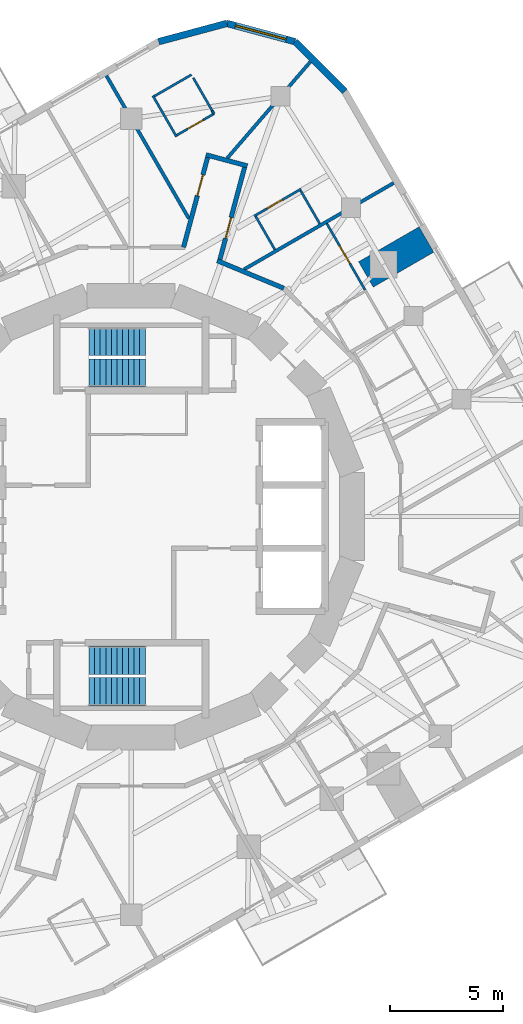
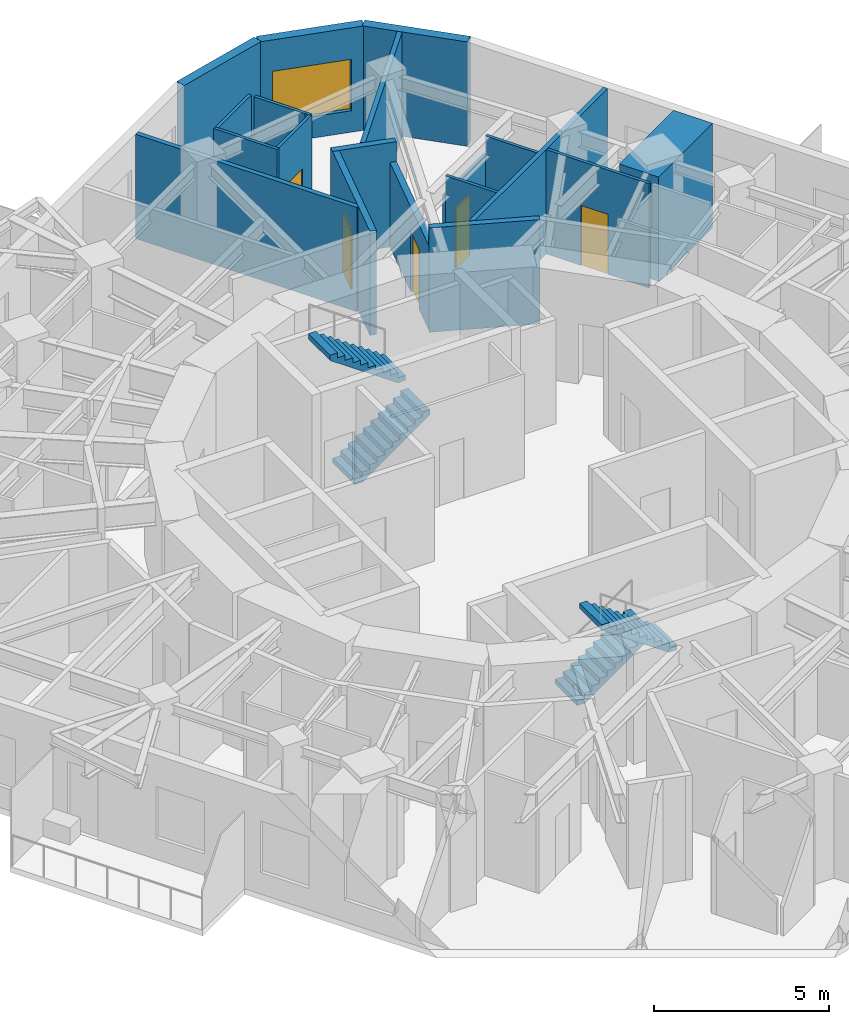
# One storey, part 9 of 11: 20 walls, 5 doors, 4 stair flights, 1 window, 6 openings, 2 elements without a shape of their own.
"""IFC4 building model written with IfcOpenShell, lengths in metres."""

from ifc_helpers import new_model, si_unit, direction, frame, frame_2d, origin, place, context, subcontext, project, spatial, polyline, rectangle, outline, extrude, material, layer, layer_set, type_object, element, fill, aggregate, save


model = new_model("IFC4")

# Units and contexts
model_context = context("Model", 3, precision=1e-05, world=origin(), true_north=direction((0.0, 1.0)))
body_context = subcontext(model_context, "Body", "Model", "MODEL_VIEW")
ifc_project = project(units=[si_unit("LENGTHUNIT", "METRE"), si_unit("AREAUNIT", "SQUARE_METRE"), si_unit("VOLUMEUNIT", "CUBIC_METRE"), si_unit("PLANEANGLEUNIT", "RADIAN"), si_unit("MASSUNIT", "GRAM", prefix="KILO")], contexts=[model_context])

# Site, building, storey
site_placement = place(None, origin())
site = spatial("IfcSite", under=ifc_project, at=site_placement, CompositionType="ELEMENT")
building_placement = place(site_placement, origin())
building = spatial("IfcBuilding", under=site, at=building_placement, Name="Nakasero Lantern House", CompositionType="ELEMENT")
storey_placement = place(building_placement, frame((0.0, 0.0, 230.800048828125)))
storey = spatial("IfcBuildingStorey", under=building, at=storey_placement, Name="L56", CompositionType="ELEMENT", Elevation=230.800048828125)

# Walls
ifc_material_1 = material(Name="Blockwork", Category="masonry")
ifc_layer_1 = layer(ifc_material_1, 1.300048828125)
ifc_layer_set_1 = layer_set([ifc_layer_1], Name="Column pier 1300")
wall_type_1 = type_object("IfcWallType", Name="Column pier 1300", PredefinedType="PARTITIONING", material=ifc_layer_set_1)
wall_1_placement = place(storey_placement, frame((10.4208984375, 10.75048828125, 0.0), z_axis=(0.0, 0.0, 1.0), x_axis=(0.866063626216, 0.499933790963, 0.0)))
element("IfcWall", 1, at=wall_1_placement, inside=storey, type_object=wall_type_1, Name="Column pier L56 PN0-05", PredefinedType="PARTITIONING", context=body_context, shape_type="SweptSolid", body=[
    extrude(rectangle(XDim=3.10009765625, YDim=1.300048828125, at=frame_2d((1.550048828125, 0.0))), origin(), (0.0, 0.0, 1.0), 3.64990234375),
])
ifc_material_2 = material(Name="Blockwork", Category="masonry")
ifc_layer_2 = layer(ifc_material_2, 0.199951171875)
ifc_layer_set_2 = layer_set([ifc_layer_2], Name="Corridor wall 200")
wall_type_2 = type_object("IfcWallType", Name="Corridor wall 200", PredefinedType="PARTITIONING", material=ifc_layer_set_2)
wall_2_placement = place(storey_placement, frame((3.820556640625, 11.360595703125, 0.0), z_axis=(0.0, 0.0, 1.0), x_axis=(0.923888369431, -0.382662097458, 0.0)))
element("IfcWall", 2, at=wall_2_placement, inside=storey, type_object=wall_type_2, Name="Corridor wall L56 RC13b", PredefinedType="PARTITIONING", context=body_context, shape_type="SweptSolid", body=[
    extrude(rectangle(XDim=3.1962890625, YDim=0.199951171875, at=frame_2d((1.59814453125, 0.0))), origin(), (0.0, 0.0, 1.0), 3.64990234375),
])

# Wall, opening, door
wall_3_placement = place(storey_placement, frame((3.913818359375, 11.322021484375, 0.0), z_axis=(0.0, 0.0, 1.0), x_axis=(0.258777439659, 0.965936973474, 0.0)))
wall_3 = element("IfcWall", 3, at=wall_3_placement, inside=storey, type_object=wall_type_2, Name="Corridor wall L56 SP0a", PredefinedType="PARTITIONING", context=body_context, shape_type="SweptSolid", body=[
    extrude(rectangle(XDim=4.524658203125, YDim=0.199951171875, at=frame_2d((2.26220703125, 0.0))), origin(), (0.0, 0.0, 1.0), 2.95703125),
])
opening_1_placement = place(wall_3_placement, frame((1.070068359375, 0.0, 0.0)))
opening_1 = element("IfcOpeningElement", 4, at=opening_1_placement, cuts=wall_3, Name="Opening D01", PredefinedType="OPENING", context=body_context, shape_type="SweptSolid", body=[
    extrude(rectangle(XDim=0.949951171875, YDim=2.10009765625, at=frame_2d((0.47509765625, 1.050048828125))), frame((0.0, 0.119873046875, 0.0), z_axis=(0.0, -1.0, 0.0), x_axis=(1.0, 0.0, 0.0)), (0.0, 0.0, 1.0), 0.239990234375),
])
ifc_material_3 = material(Name="Timber C24", Category="wood")
door_type_1 = type_object("IfcDoorType", Name="Bedroom door FD30S 950", OperationType="SINGLE_SWING_LEFT", PredefinedType="DOOR", material=ifc_material_3)
door_1_placement = place(opening_1_placement, origin())
door_1 = element("IfcDoor", 5, at=door_1_placement, inside=storey, type_object=door_type_1, Name="Door L56 D0-06", OperationType="SINGLE_SWING_LEFT", OverallHeight=2.10009765625, OverallWidth=0.949951171875, PredefinedType="DOOR", context=body_context, shape_type="SweptSolid", body=[
    extrude(rectangle(XDim=0.949951171875, YDim=2.10009765625, at=frame_2d((0.47509765625, 1.050048828125))), frame((0.0, 0.02490234375, 0.0), z_axis=(0.0, -1.0, 0.0), x_axis=(1.0, 0.0, 0.0)), (0.0, 0.0, 1.0), 0.050048828125),
])
fill(opening_1, door_1)

wall_4_placement = place(storey_placement, frame((2.32421875, 11.957763671875, 0.0), z_axis=(0.0, 0.0, 1.0), x_axis=(0.258769967576, 0.965938975236, 0.0)))
wall_4 = element("IfcWall", 6, at=wall_4_placement, inside=storey, type_object=wall_type_2, Name="Corridor wall L56 SP0b", PredefinedType="PARTITIONING", context=body_context, shape_type="SweptSolid", body=[
    extrude(rectangle(XDim=4.322021484375, YDim=0.199951171875, at=frame_2d((2.1611328125, 0.0))), origin(), (0.0, 0.0, 1.0), 3.64990234375),
])
opening_2_placement = place(wall_4_placement, frame((2.3701171875, 0.0, 0.0)))
opening_2 = element("IfcOpeningElement", 7, at=opening_2_placement, cuts=wall_4, Name="Opening D01", PredefinedType="OPENING", context=body_context, shape_type="SweptSolid", body=[
    extrude(rectangle(XDim=0.949951171875, YDim=2.10009765625, at=frame_2d((0.47509765625, 1.050048828125))), frame((0.0, 0.119873046875, 0.0), z_axis=(0.0, -1.0, 0.0), x_axis=(1.0, 0.0, 0.0)), (0.0, 0.0, 1.0), 0.239990234375),
])
door_2_placement = place(opening_2_placement, origin())
door_2 = element("IfcDoor", 8, at=door_2_placement, inside=storey, type_object=door_type_1, Name="Door L56 D1-00", OperationType="SINGLE_SWING_RIGHT", OverallHeight=2.10009765625, OverallWidth=0.949951171875, PredefinedType="DOOR", context=body_context, shape_type="SweptSolid", body=[
    extrude(rectangle(XDim=0.949951171875, YDim=2.10009765625, at=frame_2d((0.47509765625, 1.050048828125))), frame((0.0, 0.02490234375, 0.0), z_axis=(0.0, -1.0, 0.0), x_axis=(1.0, 0.0, 0.0)), (0.0, 0.0, 1.0), 0.050048828125),
])
fill(opening_2, door_2)

# Wall
wall_5_placement = place(storey_placement, frame((5.155517578125, 15.570068359375, 0.0), z_axis=(0.0, 0.0, 1.0), x_axis=(-0.96593141835, 0.258798174346, 0.0)))
element("IfcWall", 9, at=wall_5_placement, inside=storey, type_object=wall_type_2, Name="Corridor wall L56 SP0e", PredefinedType="PARTITIONING", context=body_context, shape_type="SweptSolid", body=[
    extrude(rectangle(XDim=1.89990234375, YDim=0.199951171875, at=frame_2d((0.949951171875, 0.0))), origin(), (0.0, 0.0, 1.0), 3.64990234375),
])

# Wall, opening, door
ifc_material_4 = material(Name="Blockwork", Category="masonry")
ifc_layer_3 = layer(ifc_material_4, 0.10009765625)
ifc_layer_set_3 = layer_set([ifc_layer_3], Name="En-suite wall 100")
wall_type_3 = type_object("IfcWallType", Name="En-suite wall 100", PredefinedType="PARTITIONING", material=ifc_layer_set_3)
wall_6_placement = place(storey_placement, frame((5.46044921875, 13.342041015625, 0.0), z_axis=(0.0, 0.0, 1.0), x_axis=(0.866006032174, 0.500033551112, 0.0)))
wall_6 = element("IfcWall", 10, at=wall_6_placement, inside=storey, type_object=wall_type_3, Name="En-suite wall L56 ES0-06", PredefinedType="PARTITIONING", context=body_context, shape_type="SweptSolid", body=[
    extrude(rectangle(XDim=2.400146484375, YDim=0.10009765625, at=frame_2d((1.2001953125, 0.0))), origin(), (0.0, 0.0, 1.0), 2.966552734375),
])
opening_3_placement = place(wall_6_placement, frame((0.64990234375, 0.0, 0.0)))
opening_3 = element("IfcOpeningElement", 11, at=opening_3_placement, cuts=wall_6, Name="Opening D02", PredefinedType="OPENING", context=body_context, shape_type="SweptSolid", body=[
    extrude(rectangle(XDim=0.800048828125, YDim=2.10009765625, at=frame_2d((0.39990234375, 1.050048828125))), frame((0.0, 0.070068359375, 0.0), z_axis=(0.0, -1.0, 0.0), x_axis=(1.0, 0.0, 0.0)), (0.0, 0.0, 1.0), 0.14013671875),
])
ifc_material_5 = material(Name="Timber C24", Category="wood")
door_type_2 = type_object("IfcDoorType", Name="En-suite door 800", OperationType="SINGLE_SWING_RIGHT", PredefinedType="DOOR", material=ifc_material_5)
door_3_placement = place(opening_3_placement, origin())
door_3 = element("IfcDoor", 12, at=door_3_placement, inside=storey, type_object=door_type_2, Name="Door L56 DE0-06", OperationType="SINGLE_SWING_LEFT", OverallHeight=2.10009765625, OverallWidth=0.800048828125, PredefinedType="DOOR", context=body_context, shape_type="SweptSolid", body=[
    extrude(rectangle(XDim=0.800048828125, YDim=2.10009765625, at=frame_2d((0.39990234375, 1.050048828125))), frame((0.0, 0.02490234375, 0.0), z_axis=(0.0, -1.0, 0.0), x_axis=(1.0, 0.0, 0.0)), (0.0, 0.0, 1.0), 0.050048828125),
])
fill(opening_3, door_3)

# Walls
for number, where, z_axis, x_axis, name in (
    (13, (8.37060546875, 13.001708984375, 0.0), (0.0, 0.0, 1.0), (-0.499954529098, 0.86605165483, 0.0), "En-suite wall L56 EE0-06"),
    (14, (6.37890625, 11.8515625, 0.0), (0.0, 0.0, 1.0), (-0.500062241894, 0.865989465428, 0.0), "En-suite wall L56 EI0-06"),
):
    element("IfcWall", number, at=place(storey_placement, frame(where, z_axis=z_axis, x_axis=x_axis)), inside=storey, type_object=wall_type_3, Name=name, PredefinedType="PARTITIONING", context=body_context, shape_type="SweptSolid", body=[
        extrude(rectangle(XDim=1.699951171875, YDim=0.10009765625, at=frame_2d((0.85009765625, 0.0))), origin(), (0.0, 0.0, 1.0), 3.64990234375),
    ])
wall_7_placement = place(storey_placement, frame((2.01171875, 16.865478515625, 0.0), z_axis=(0.0, 0.0, 1.0), x_axis=(-0.49994051562, 0.866059744384, 0.0)))
element("IfcWall", 15, at=wall_7_placement, inside=storey, type_object=wall_type_3, Name="En-suite wall L56 ES1-00", PredefinedType="PARTITIONING", context=body_context, shape_type="SweptSolid", body=[
    extrude(rectangle(XDim=2.099853515625, YDim=0.10009765625, at=frame_2d((1.0498046875, 0.0))), origin(), (0.0, 0.0, 1.0), 3.64990234375),
])
wall_8_placement = place(storey_placement, frame((2.675537109375, 19.61572265625, 0.0), z_axis=(0.0, 0.0, 1.0), x_axis=(-0.866044365799, -0.499967155389, 0.0)))
element("IfcWall", 16, at=wall_8_placement, inside=storey, type_object=wall_type_3, Name="En-suite wall L56 EE1-00", PredefinedType="PARTITIONING", context=body_context, shape_type="SweptSolid", body=[
    extrude(rectangle(XDim=1.900146484375, YDim=0.10009765625, at=frame_2d((0.9501953125, 0.0))), origin(), (0.0, 0.0, 1.0), 3.64990234375),
])

# Wall, opening, door
wall_9_placement = place(storey_placement, frame((3.675537109375, 17.8837890625, 0.0), z_axis=(0.0, 0.0, 1.0), x_axis=(-0.866044365799, -0.499967155389, 0.0)))
wall_9 = element("IfcWall", 17, at=wall_9_placement, inside=storey, type_object=wall_type_3, Name="En-suite wall L56 EI1-00", PredefinedType="PARTITIONING", context=body_context, shape_type="SweptSolid", body=[
    extrude(rectangle(XDim=1.900146484375, YDim=0.10009765625, at=frame_2d((0.9501953125, 0.0))), origin(), (0.0, 0.0, 1.0), 3.64990234375),
])
opening_4_placement = place(wall_9_placement, frame((0.550048828125, 0.0, 0.0)))
opening_4 = element("IfcOpeningElement", 18, at=opening_4_placement, cuts=wall_9, Name="Opening D02", PredefinedType="OPENING", context=body_context, shape_type="SweptSolid", body=[
    extrude(rectangle(XDim=0.800048828125, YDim=2.10009765625, at=frame_2d((0.39990234375, 1.050048828125))), frame((0.0, 0.070068359375, 0.0), z_axis=(0.0, -1.0, 0.0), x_axis=(1.0, 0.0, 0.0)), (0.0, 0.0, 1.0), 0.14013671875),
])
door_4_placement = place(opening_4_placement, origin())
door_4 = element("IfcDoor", 19, at=door_4_placement, inside=storey, type_object=door_type_2, Name="Door L56 DE1-00", OperationType="SINGLE_SWING_RIGHT", OverallHeight=2.10009765625, OverallWidth=0.800048828125, PredefinedType="DOOR", context=body_context, shape_type="SweptSolid", body=[
    extrude(rectangle(XDim=0.800048828125, YDim=2.10009765625, at=frame_2d((0.39990234375, 1.050048828125))), frame((0.0, 0.02490234375, 0.0), z_axis=(0.0, -1.0, 0.0), x_axis=(1.0, 0.0, 0.0)), (0.0, 0.0, 1.0), 0.050048828125),
])
fill(opening_4, door_4)

wall_10_placement = place(storey_placement, frame((10.382568359375, 10.065673828125, 0.0), z_axis=(0.0, 0.0, 1.0), x_axis=(-0.500002290144, 0.866024081565, 0.0)))
wall_10 = element("IfcWall", 20, at=wall_10_placement, inside=storey, type_object=wall_type_3, Name="En-suite wall L56 EL0-04", PredefinedType="PARTITIONING", context=body_context, shape_type="SweptSolid", body=[
    extrude(rectangle(XDim=3.3984375, YDim=0.10009765625, at=frame_2d((1.69921875, 0.0))), origin(), (0.0, 0.0, 1.0), 3.64990234375),
])
opening_5_placement = place(wall_10_placement, frame((1.35009765625, 0.0, 0.0)))
opening_5 = element("IfcOpeningElement", 21, at=opening_5_placement, cuts=wall_10, Name="Opening D17", PredefinedType="OPENING", context=body_context, shape_type="SweptSolid", body=[
    extrude(rectangle(XDim=0.89990234375, YDim=2.10009765625, at=frame_2d((0.449951171875, 1.050048828125))), frame((0.0, 0.070068359375, 0.0), z_axis=(0.0, -1.0, 0.0), x_axis=(1.0, 0.0, 0.0)), (0.0, 0.0, 1.0), 0.14013671875),
])
ifc_material_6 = material(Name="Timber C24", Category="wood")
door_type_3 = type_object("IfcDoorType", Name="Bedroom door FD30S 900", OperationType="SINGLE_SWING_LEFT", PredefinedType="DOOR", material=ifc_material_6)
door_5_placement = place(opening_5_placement, origin())
door_5 = element("IfcDoor", 22, at=door_5_placement, inside=storey, type_object=door_type_3, Name="Door L56 DL0-04", OperationType="SINGLE_SWING_RIGHT", OverallHeight=2.10009765625, OverallWidth=0.89990234375, PredefinedType="DOOR", context=body_context, shape_type="SweptSolid", body=[
    extrude(rectangle(XDim=0.89990234375, YDim=2.10009765625, at=frame_2d((0.449951171875, 1.050048828125))), frame((0.0, 0.02490234375, 0.0), z_axis=(0.0, -1.0, 0.0), x_axis=(1.0, 0.0, 0.0)), (0.0, 0.0, 1.0), 0.050048828125),
])
fill(opening_5, door_5)

# Walls
wall_11_placement = place(storey_placement, frame((3.595458984375, 18.022216796875, 0.0), z_axis=(0.0, 0.0, 1.0), x_axis=(-0.499890179513, 0.866088799389, 0.0)))
element("IfcWall", 23, at=wall_11_placement, inside=storey, type_object=wall_type_3, Name="En-suite wall L56 EX001", PredefinedType="PARTITIONING", context=body_context, shape_type="SweptSolid", body=[
    extrude(rectangle(XDim=1.68017578125, YDim=0.10009765625, at=frame_2d((0.840087890625, 0.0))), origin(), (0.0, 0.0, 1.0), 3.64990234375),
])
wall_12_placement = place(storey_placement, frame((3.675537109375, 17.8837890625, 0.0), z_axis=(0.0, 0.0, 1.0), x_axis=(-0.500735348028, 0.865600433939, 0.0)))
element("IfcWall", 24, at=wall_12_placement, inside=storey, type_object=wall_type_3, Name="En-suite wall L56 EI1-00R0", PredefinedType="PARTITIONING", context=body_context, shape_type="SweptSolid", body=[
    extrude(rectangle(XDim=0.159912109375, YDim=0.10009765625, at=frame_2d((0.080078125, 0.0))), origin(), (0.0, 0.0, 1.0), 3.64990234375),
])
ifc_material_7 = material(Name="Aluminium rainscreen on blockwork", Category="masonry")
ifc_layer_4 = layer(ifc_material_7, 0.300048828125)
ifc_layer_set_4 = layer_set([ifc_layer_4], Name="Facade wall 300")
wall_type_4 = type_object("IfcWallType", Name="Facade wall 300", PredefinedType="SOLIDWALL", material=ifc_layer_set_4)
wall_13_placement = place(storey_placement, frame((9.4853515625, 18.870849609375, 0.0), z_axis=(0.0, 0.0, 1.0), x_axis=(-0.707067801733, 0.707145758492, 0.0)))
element("IfcWall", 25, at=wall_13_placement, inside=storey, type_object=wall_type_4, Name="Facade wall L56 FW0C1", PredefinedType="SOLIDWALL", context=body_context, shape_type="SweptSolid", body=[
    extrude(rectangle(XDim=3.1318359375, YDim=0.300048828125, at=frame_2d((1.56591796875, 0.0))), origin(), (0.0, 0.0, 1.0), 3.64990234375),
])

# Wall, opening, window
wall_14_placement = place(storey_placement, frame((7.27099609375, 21.08544921875, 0.0), z_axis=(0.0, 0.0, 1.0), x_axis=(-0.965928914048, 0.258807521156, 0.0)))
wall_14 = element("IfcWall", 26, at=wall_14_placement, inside=storey, type_object=wall_type_4, Name="Facade wall L56 FW0C2", PredefinedType="SOLIDWALL", context=body_context, shape_type="SweptSolid", body=[
    extrude(rectangle(XDim=3.1318359375, YDim=0.300048828125, at=frame_2d((1.56591796875, 0.0))), origin(), (0.0, 0.0, 1.0), 3.64990234375),
])
opening_6_placement = place(wall_14_placement, frame((0.39990234375, 0.0, 0.75)))
opening_6 = element("IfcOpeningElement", 27, at=opening_6_placement, cuts=wall_14, Name="Opening W223", PredefinedType="OPENING", context=body_context, shape_type="SweptSolid", body=[
    extrude(rectangle(XDim=2.33203125, YDim=1.800048828125, at=frame_2d((1.166015625, 0.89990234375))), frame((0.0, 0.169921875, 0.0), z_axis=(0.0, -1.0, 0.0), x_axis=(1.0, 0.0, 0.0)), (0.0, 0.0, 1.0), 0.340087890625),
])
ifc_material_8 = material(Name="Aluminium 6063-T6 and glass", Category="aluminium")
window_type = type_object("IfcWindowType", Name="Corner window 2332x1800", PartitioningType="SINGLE_PANEL", PredefinedType="WINDOW", material=ifc_material_8)
window_placement = place(opening_6_placement, origin())
window = element("IfcWindow", 28, at=window_placement, inside=storey, type_object=window_type, Name="Window L56 WC0", OverallHeight=1.800048828125, OverallWidth=2.33203125, PartitioningType="SINGLE_PANEL", PredefinedType="WINDOW", context=body_context, shape_type="SweptSolid", body=[
    extrude(rectangle(XDim=2.33203125, YDim=1.800048828125, at=frame_2d((1.166015625, 0.89990234375))), frame((0.0, 0.030029296875, 0.0), z_axis=(0.0, -1.0, 0.0), x_axis=(1.0, 0.0, 0.0)), (0.0, 0.0, 1.0), 0.06005859375),
])
fill(opening_6, window)

# Walls
wall_15_placement = place(storey_placement, frame((4.245849609375, 21.89599609375, 0.0), z_axis=(0.0, 0.0, 1.0), x_axis=(-0.96592369199, -0.258827010283, 0.0)))
element("IfcWall", 29, at=wall_15_placement, inside=storey, type_object=wall_type_4, Name="Facade wall L56 FW0C3", PredefinedType="SOLIDWALL", context=body_context, shape_type="SweptSolid", body=[
    extrude(rectangle(XDim=3.131591796875, YDim=0.300048828125, at=frame_2d((1.56591796875, 0.0))), origin(), (0.0, 0.0, 1.0), 3.64990234375),
])
ifc_material_9 = material(Name="Blockwork", Category="masonry")
ifc_layer_5 = layer(ifc_material_9, 0.14990234375)
ifc_layer_set_5 = layer_set([ifc_layer_5], Name="Party wall 150")
wall_type_5 = type_object("IfcWallType", Name="Party wall 150", PredefinedType="PARTITIONING", material=ifc_layer_set_5)
wall_16_placement = place(storey_placement, frame((5.011474609375, 10.9755859375, 0.0), z_axis=(0.0, 0.0, 1.0), x_axis=(0.866033500054, 0.499985976588, 0.0)))
element("IfcWall", 30, at=wall_16_placement, inside=storey, type_object=wall_type_5, Name="Party wall L56 PW0-06", PredefinedType="PARTITIONING", context=body_context, shape_type="SweptSolid", body=[
    extrude(rectangle(XDim=7.672119140625, YDim=0.14990234375, at=frame_2d((3.8359375, 0.0))), origin(), (0.0, 0.0, 1.0), 3.64990234375),
])
wall_17_placement = place(storey_placement, frame((4.263671875, 15.91259765625, 0.0), z_axis=(0.0, 0.0, 1.0), x_axis=(0.653224504612, 0.75716427978, 0.0)))
element("IfcWall", 31, at=wall_17_placement, inside=storey, type_object=wall_type_5, Name="Party wall L56 PW1-00", PredefinedType="PARTITIONING", context=body_context, shape_type="SweptSolid", body=[
    extrude(rectangle(XDim=5.644287109375, YDim=0.14990234375, at=frame_2d((2.822265625, 0.0))), origin(), (0.0, 0.0, 1.0), 3.64990234375),
])
wall_18_placement = place(storey_placement, frame((2.5615234375, 13.230224609375, 0.0), z_axis=(0.0, 0.0, 1.0), x_axis=(-0.500004302036, 0.866022919989, 0.0)))
element("IfcWall", 32, at=wall_18_placement, inside=storey, type_object=wall_type_5, Name="Party wall L56 PW1-01", PredefinedType="PARTITIONING", context=body_context, shape_type="SweptSolid", body=[
    extrude(rectangle(XDim=7.3232421875, YDim=0.14990234375, at=frame_2d((3.66162109375, 0.0))), origin(), (0.0, 0.0, 1.0), 3.64990234375),
])

# Stair, stair flights
ifc_material_10 = material(Name="Concrete C40/50", Category="concrete")
stair_type_1 = type_object("IfcStairType", Name="Escape stair ST1 22 risers", PredefinedType="HALF_TURN_STAIR", material=ifc_material_10)
stair_1_placement = place(storey_placement, origin())
stair_1 = element("IfcStair", 33, at=stair_1_placement, inside=storey, type_object=stair_type_1, Name="Escape stair ST1 L56", PredefinedType="HALF_TURN_STAIR")
ifc_material_11 = material(Name="Concrete C40/50", Category="concrete")
stair_flight_type = type_object("IfcStairFlightType", Name="Escape stair flight", PredefinedType="STRAIGHT", material=ifc_material_11)
stair_flight_1_placement = place(storey_placement, frame((-1.875, 6.375, 0.0), z_axis=(0.0, 0.0, 1.0), x_axis=(1.0, 0.0, 0.0)))
stair_flight_1 = element("IfcStairFlight", 34, at=stair_flight_1_placement, type_object=stair_flight_type, Name="ST1 flight 1", NumberOfRisers=11, NumberOfTreads=10, PredefinedType="STRAIGHT", RiserHeight=0.175, TreadLength=0.25, context=body_context, shape_type="SweptSolid", body=[
    extrude(outline(polyline([(0.0, 0.0), (0.0, 0.175048828125), (0.25, 0.175048828125), (0.25, 0.35009765625), (0.5, 0.35009765625), (0.5, 0.52490234375), (0.75, 0.52490234375), (0.75, 0.699951171875), (1.0, 0.699951171875), (1.0, 0.875), (1.25, 0.875), (1.25, 1.050048828125), (1.5, 1.050048828125), (1.5, 1.22509765625), (1.75, 1.22509765625), (1.75, 1.39990234375), (2.0, 1.39990234375), (2.0, 1.574951171875), (2.25, 1.574951171875), (2.25, 1.75), (2.5, 1.75), (2.5, 1.925048828125), (2.5, 1.567138671875), (0.261474609375, 0.0), (0.0, 0.0)])), frame((0.0, 0.625, 0.0), z_axis=(0.0, -1.0, 0.0), x_axis=(1.0, 0.0, 0.0)), (0.0, 0.0, 1.0), 1.25),
])
stair_flight_2_placement = place(storey_placement, frame((0.625, 7.77490234375, 1.925048828125), z_axis=(0.0, 0.0, 1.0), x_axis=(-1.0, 0.0, 0.0)))
stair_flight_2 = element("IfcStairFlight", 35, at=stair_flight_2_placement, type_object=stair_flight_type, Name="ST1 flight 2", NumberOfRisers=11, NumberOfTreads=10, PredefinedType="STRAIGHT", RiserHeight=0.175, TreadLength=0.25, context=body_context, shape_type="SweptSolid", body=[
    extrude(outline(polyline([(0.0, 0.0), (0.0, 0.175048828125), (0.25, 0.175048828125), (0.25, 0.35009765625), (0.5, 0.35009765625), (0.5, 0.52490234375), (0.75, 0.52490234375), (0.75, 0.699951171875), (1.0, 0.699951171875), (1.0, 0.875), (1.25, 0.875), (1.25, 1.050048828125), (1.5, 1.050048828125), (1.5, 1.22509765625), (1.75, 1.22509765625), (1.75, 1.39990234375), (2.0, 1.39990234375), (2.0, 1.574951171875), (2.25, 1.574951171875), (2.25, 1.75), (2.5, 1.75), (2.5, 1.925048828125), (2.5, 1.567138671875), (0.261474609375, 0.0), (0.0, 0.0)])), frame((0.0, 0.625, 0.0), z_axis=(0.0, -1.0, 0.0), x_axis=(1.0, 0.0, 0.0)), (0.0, 0.0, 1.0), 1.25),
])
aggregate(stair_1, [stair_flight_1, stair_flight_2])

ifc_material_12 = material(Name="Concrete C40/50", Category="concrete")
stair_type_2 = type_object("IfcStairType", Name="Escape stair ST2 22 risers", PredefinedType="HALF_TURN_STAIR", material=ifc_material_12)
stair_2_placement = place(storey_placement, origin())
stair_2 = element("IfcStair", 36, at=stair_2_placement, inside=storey, type_object=stair_type_2, Name="Escape stair ST2 L56", PredefinedType="HALF_TURN_STAIR")
stair_flight_3_placement = place(storey_placement, frame((-1.875, -6.375, 0.0), z_axis=(0.0, 0.0, 1.0), x_axis=(1.0, 0.0, 0.0)))
stair_flight_3 = element("IfcStairFlight", 37, at=stair_flight_3_placement, type_object=stair_flight_type, Name="ST2 flight 1", NumberOfRisers=11, NumberOfTreads=10, PredefinedType="STRAIGHT", RiserHeight=0.175, TreadLength=0.25, context=body_context, shape_type="SweptSolid", body=[
    extrude(outline(polyline([(0.0, 0.0), (0.0, 0.175048828125), (0.25, 0.175048828125), (0.25, 0.35009765625), (0.5, 0.35009765625), (0.5, 0.52490234375), (0.75, 0.52490234375), (0.75, 0.699951171875), (1.0, 0.699951171875), (1.0, 0.875), (1.25, 0.875), (1.25, 1.050048828125), (1.5, 1.050048828125), (1.5, 1.22509765625), (1.75, 1.22509765625), (1.75, 1.39990234375), (2.0, 1.39990234375), (2.0, 1.574951171875), (2.25, 1.574951171875), (2.25, 1.75), (2.5, 1.75), (2.5, 1.925048828125), (2.5, 1.567138671875), (0.261474609375, 0.0), (0.0, 0.0)])), frame((0.0, 0.625, 0.0), z_axis=(0.0, -1.0, 0.0), x_axis=(1.0, 0.0, 0.0)), (0.0, 0.0, 1.0), 1.25),
])
stair_flight_4_placement = place(storey_placement, frame((0.625, -7.77490234375, 1.925048828125), z_axis=(0.0, 0.0, 1.0), x_axis=(-1.0, 0.0, 0.0)))
stair_flight_4 = element("IfcStairFlight", 38, at=stair_flight_4_placement, type_object=stair_flight_type, Name="ST2 flight 2", NumberOfRisers=11, NumberOfTreads=10, PredefinedType="STRAIGHT", RiserHeight=0.175, TreadLength=0.25, context=body_context, shape_type="SweptSolid", body=[
    extrude(outline(polyline([(0.0, 0.0), (0.0, 0.175048828125), (0.25, 0.175048828125), (0.25, 0.35009765625), (0.5, 0.35009765625), (0.5, 0.52490234375), (0.75, 0.52490234375), (0.75, 0.699951171875), (1.0, 0.699951171875), (1.0, 0.875), (1.25, 0.875), (1.25, 1.050048828125), (1.5, 1.050048828125), (1.5, 1.22509765625), (1.75, 1.22509765625), (1.75, 1.39990234375), (2.0, 1.39990234375), (2.0, 1.574951171875), (2.25, 1.574951171875), (2.25, 1.75), (2.5, 1.75), (2.5, 1.925048828125), (2.5, 1.567138671875), (0.261474609375, 0.0), (0.0, 0.0)])), frame((0.0, 0.625, 0.0), z_axis=(0.0, -1.0, 0.0), x_axis=(1.0, 0.0, 0.0)), (0.0, 0.0, 1.0), 1.25),
])
aggregate(stair_2, [stair_flight_3, stair_flight_4])

save(model, "model.ifc")
